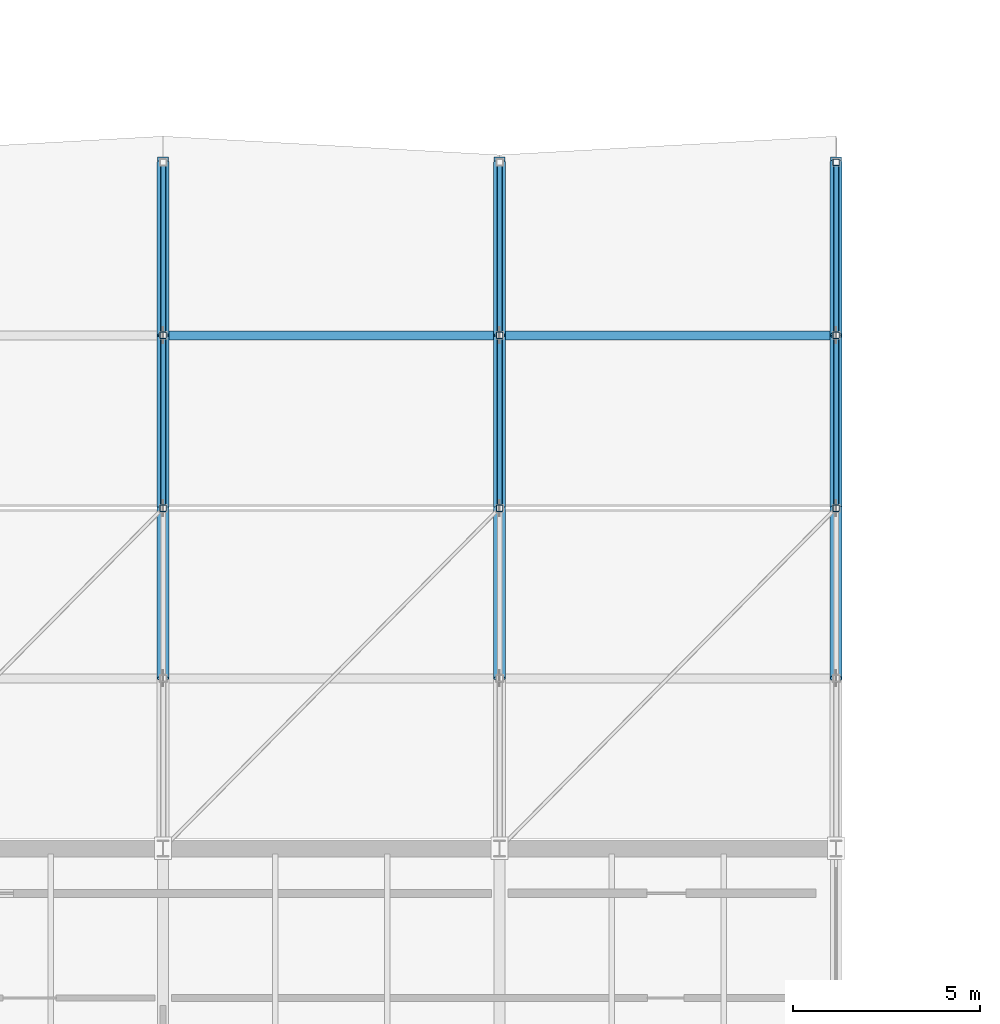
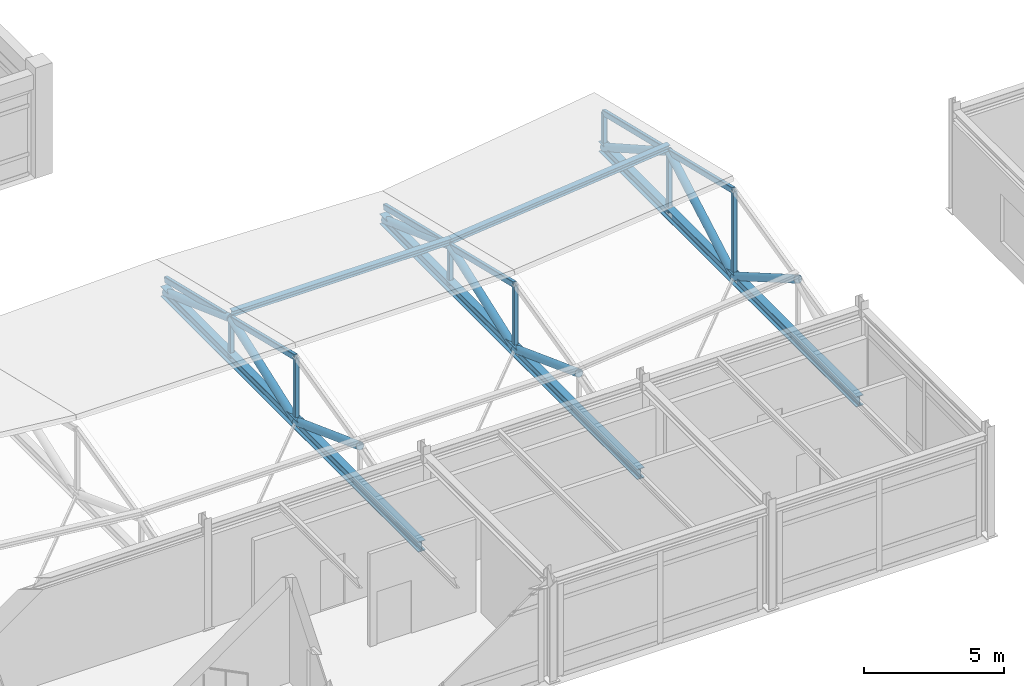
# One storey, part 26 of 90: 21 members, 3 beams.
"""IFC4 building model written with IfcOpenShell, lengths in metres."""

from ifc_helpers import new_model, si_unit, direction, frame, origin, origin_2d, place, context, subcontext, project, spatial, hollow_rectangle, hollow_circle, i_section, extrude, material, material_profile, profile_set, type_object, element, save


model = new_model("IFC4")

# Units and contexts
model_context = context("Model", 3, precision=1e-05, world=origin(), true_north=direction((0.0, 1.0)))
body_context = subcontext(model_context, "Body", "Model", "MODEL_VIEW")
ifc_project = project(units=[si_unit("LENGTHUNIT", "METRE"), si_unit("AREAUNIT", "SQUARE_METRE"), si_unit("VOLUMEUNIT", "CUBIC_METRE"), si_unit("PLANEANGLEUNIT", "RADIAN"), si_unit("MASSUNIT", "GRAM", prefix="KILO")], contexts=[model_context])

# Site, building, storey
site_placement = place(None, origin())
site = spatial("IfcSite", under=ifc_project, at=site_placement, CompositionType="ELEMENT")
building_placement = place(site_placement, origin())
building = spatial("IfcBuilding", under=site, at=building_placement, Name="Bozkorgan Art Gallery", CompositionType="ELEMENT")
storey_placement = place(building_placement, frame((0.0, 0.0, 5.39990234375)))
storey = spatial("IfcBuildingStorey", under=building, at=storey_placement, Name="L01", CompositionType="ELEMENT", Elevation=5.39990234375)

# Beams
ifc_material = material(Name="Steel S355J2", Category="steel")
ifc_material_profile_1 = material_profile(ifc_material, i_section(OverallWidth=0.300048828125, OverallDepth=0.449951171875, WebThickness=0.013916015625, FlangeThickness=0.02587890625, FilletRadius=0.027099609375, at=origin_2d()), Name="HEB 450")
ifc_profile_set_1 = profile_set([ifc_material_profile_1], Name="Steel S355J2")
beam_type = type_object("IfcBeamType", Name="BEAM-TB-37", PredefinedType="BEAM", material=ifc_profile_set_1)
for number, where, z_axis, x_axis, name in (
    (1, (101.0, 11.14990234375, 0.22509765625), (0.0, 1.0, 0.0), (-1.0, 0.0, 0.0), "ROOF-V3-BOWL roof truss 3 bottom chord"),
    (2, (110.0, 11.14990234375, 0.22509765625), (0.0, 1.0, 0.0), (-1.0, 0.0, 0.0), "ROOF-V3-BOWL roof truss 4 bottom chord"),
    (3, (119.0, 11.14990234375, 0.22509765625), (0.0, 1.0, 0.0), (-1.0, 0.0, 0.0), "ROOF-V3-BOWL roof truss 5 bottom chord"),
):
    element("IfcBeam", number, at=place(storey_placement, frame(where, z_axis=z_axis, x_axis=x_axis)), inside=storey, type_object=beam_type, Name=name, PredefinedType="BEAM", context=body_context, shape_type="SweptSolid", body=[
        extrude(i_section(OverallWidth=0.300048828125, OverallDepth=0.449951171875, WebThickness=0.013916015625, FlangeThickness=0.02587890625, FilletRadius=0.027099609375, at=origin_2d()), origin(), (0.0, 0.0, 1.0), 18.340087890625),
    ])

# Members
ifc_material_profile_2 = material_profile(ifc_material, i_section(OverallWidth=0.239990234375, OverallDepth=0.22998046875, WebThickness=0.007568359375, FlangeThickness=0.011962890625, FilletRadius=0.02099609375, at=origin_2d()), Name="HEA 240")
ifc_profile_set_2 = profile_set([ifc_material_profile_2], Name="Steel S355J2")
member_type_1 = type_object("IfcMemberType", Name="MEMBER-PR-93", PredefinedType="PURLIN", material=ifc_profile_set_2)
member_1_placement = place(storey_placement, frame((101.0, 24.72509765625, 2.135009765625), z_axis=(0.999999574673, 0.0, 0.000922308635), x_axis=(0.0, 1.0, 0.0)))
element("IfcMember", 4, at=member_1_placement, inside=storey, type_object=member_type_1, Name="ROOF-V3-BOWL roof purlin 3N", PredefinedType="PURLIN", context=body_context, shape_type="SweptSolid", body=[
    extrude(i_section(OverallWidth=0.239990234375, OverallDepth=0.22998046875, WebThickness=0.007568359375, FlangeThickness=0.011962890625, FilletRadius=0.02099609375, at=origin_2d()), origin(), (0.0, 0.0, 1.0), 9.0),
])
member_2_placement = place(storey_placement, frame((110.0, 24.72509765625, 2.143310546875), z_axis=(0.994598929439, 0.0, 0.103792916709), x_axis=(0.0, 1.0, 0.0)))
element("IfcMember", 5, at=member_2_placement, inside=storey, type_object=member_type_1, Name="ROOF-V3-BOWL roof purlin 4N", PredefinedType="PURLIN", context=body_context, shape_type="SweptSolid", body=[
    extrude(i_section(OverallWidth=0.239990234375, OverallDepth=0.22998046875, WebThickness=0.007568359375, FlangeThickness=0.011962890625, FilletRadius=0.02099609375, at=origin_2d()), origin(), (0.0, 0.0, 1.0), 9.048828125),
])
ifc_material_profile_3 = material_profile(ifc_material, hollow_rectangle(XDim=0.14990234375, YDim=0.25, WallThickness=0.010009765625, InnerFilletRadius=0.014892578125, OuterFilletRadius=0.02490234375, at=origin_2d()), Name="RHS 250x150x10")
ifc_profile_set_3 = profile_set([ifc_material_profile_3], Name="Steel S355J2")
member_type_2 = type_object("IfcMemberType", Name="MEMBER-TC-35", PredefinedType="CHORD", material=ifc_profile_set_3)
for number, where, z_axis, x_axis, name in (
    (6, (101.0, 20.10009765625, 3.005615234375), (0.0, 0.972370526405, -0.233442839637), (-1.0, 0.0, 0.0), "ROOF-V3-BOWL roof truss 3 north top chord"),
    (7, (110.0, 20.10009765625, 3.013671875), (0.0, 0.972370526405, -0.233442839637), (-1.0, 0.0, 0.0), "ROOF-V3-BOWL roof truss 4 north top chord"),
    (8, (119.0, 20.10009765625, 3.952880859375), (0.0, 0.972370526405, -0.233442839637), (-1.0, 0.0, 0.0), "ROOF-V3-BOWL roof truss 5 north top chord"),
):
    element("IfcMember", number, at=place(storey_placement, frame(where, z_axis=z_axis, x_axis=x_axis)), inside=storey, type_object=member_type_2, Name=name, PredefinedType="CHORD", context=body_context, shape_type="SweptSolid", body=[
        extrude(hollow_rectangle(XDim=0.14990234375, YDim=0.25, WallThickness=0.010009765625, InnerFilletRadius=0.014892578125, OuterFilletRadius=0.02490234375, at=origin_2d()), origin(), (0.0, 0.0, 1.0), 9.512939453125),
    ])
ifc_material_profile_4 = material_profile(ifc_material, hollow_rectangle(XDim=0.179931640625, YDim=0.179931640625, WallThickness=0.010009765625, InnerFilletRadius=0.014892578125, OuterFilletRadius=0.02490234375, at=origin_2d()), Name="SHS 180x180x10")
ifc_profile_set_4 = profile_set([ifc_material_profile_4], Name="Steel S355J2")
member_type_3 = type_object("IfcMemberType", Name="MEMBER-TP-98", PredefinedType="POST", material=ifc_profile_set_4)
member_3_placement = place(storey_placement, frame((101.0, 20.10009765625, 0.22509765625), z_axis=(0.0, 0.0, 1.0), x_axis=(1.0, 0.0, 0.0)))
element("IfcMember", 9, at=member_3_placement, inside=storey, type_object=member_type_3, Name="ROOF-V3-BOWL roof truss 3 post 2", PredefinedType="POST", context=body_context, shape_type="SweptSolid", body=[
    extrude(hollow_rectangle(XDim=0.179931640625, YDim=0.179931640625, WallThickness=0.010009765625, InnerFilletRadius=0.014892578125, OuterFilletRadius=0.02490234375, at=origin_2d()), origin(), (0.0, 0.0, 1.0), 2.780517578125),
])
member_4_placement = place(storey_placement, frame((101.0, 24.72509765625, 0.22509765625), z_axis=(0.0, 0.0, 1.0), x_axis=(1.0, 0.0, 0.0)))
element("IfcMember", 10, at=member_4_placement, inside=storey, type_object=member_type_3, Name="ROOF-V3-BOWL roof truss 3 post 3", PredefinedType="POST", context=body_context, shape_type="SweptSolid", body=[
    extrude(hollow_rectangle(XDim=0.179931640625, YDim=0.179931640625, WallThickness=0.010009765625, InnerFilletRadius=0.014892578125, OuterFilletRadius=0.02490234375, at=origin_2d()), origin(), (0.0, 0.0, 1.0), 1.669921875),
])
member_5_placement = place(storey_placement, frame((110.0, 20.10009765625, 0.22509765625), z_axis=(0.0, 0.0, 1.0), x_axis=(1.0, 0.0, 0.0)))
element("IfcMember", 11, at=member_5_placement, inside=storey, type_object=member_type_3, Name="ROOF-V3-BOWL roof truss 4 post 2", PredefinedType="POST", context=body_context, shape_type="SweptSolid", body=[
    extrude(hollow_rectangle(XDim=0.179931640625, YDim=0.179931640625, WallThickness=0.010009765625, InnerFilletRadius=0.014892578125, OuterFilletRadius=0.02490234375, at=origin_2d()), origin(), (0.0, 0.0, 1.0), 2.78857421875),
])
member_6_placement = place(storey_placement, frame((110.0, 24.72509765625, 0.22509765625), z_axis=(0.0, 0.0, 1.0), x_axis=(1.0, 0.0, 0.0)))
element("IfcMember", 12, at=member_6_placement, inside=storey, type_object=member_type_3, Name="ROOF-V3-BOWL roof truss 4 post 3", PredefinedType="POST", context=body_context, shape_type="SweptSolid", body=[
    extrude(hollow_rectangle(XDim=0.179931640625, YDim=0.179931640625, WallThickness=0.010009765625, InnerFilletRadius=0.014892578125, OuterFilletRadius=0.02490234375, at=origin_2d()), origin(), (0.0, 0.0, 1.0), 1.67822265625),
])
member_7_placement = place(storey_placement, frame((119.0, 20.10009765625, 0.22509765625), z_axis=(0.0, 0.0, 1.0), x_axis=(1.0, 0.0, 0.0)))
element("IfcMember", 13, at=member_7_placement, inside=storey, type_object=member_type_3, Name="ROOF-V3-BOWL roof truss 5 post 2", PredefinedType="POST", context=body_context, shape_type="SweptSolid", body=[
    extrude(hollow_rectangle(XDim=0.179931640625, YDim=0.179931640625, WallThickness=0.010009765625, InnerFilletRadius=0.014892578125, OuterFilletRadius=0.02490234375, at=origin_2d()), origin(), (0.0, 0.0, 1.0), 3.727783203125),
])
member_8_placement = place(storey_placement, frame((119.0, 24.72509765625, 0.22509765625), z_axis=(0.0, 0.0, 1.0), x_axis=(1.0, 0.0, 0.0)))
element("IfcMember", 14, at=member_8_placement, inside=storey, type_object=member_type_3, Name="ROOF-V3-BOWL roof truss 5 post 3", PredefinedType="POST", context=body_context, shape_type="SweptSolid", body=[
    extrude(hollow_rectangle(XDim=0.179931640625, YDim=0.179931640625, WallThickness=0.010009765625, InnerFilletRadius=0.014892578125, OuterFilletRadius=0.02490234375, at=origin_2d()), origin(), (0.0, 0.0, 1.0), 2.617431640625),
])
member_9_placement = place(storey_placement, frame((119.0, 29.35009765625, 0.22509765625), z_axis=(0.0, 0.0, 1.0), x_axis=(1.0, 0.0, 0.0)))
element("IfcMember", 15, at=member_9_placement, inside=storey, type_object=member_type_3, Name="ROOF-V3-BOWL roof truss 5 post 4", PredefinedType="POST", context=body_context, shape_type="SweptSolid", body=[
    extrude(hollow_rectangle(XDim=0.179931640625, YDim=0.179931640625, WallThickness=0.010009765625, InnerFilletRadius=0.014892578125, OuterFilletRadius=0.02490234375, at=origin_2d()), origin(), (0.0, 0.0, 1.0), 1.507080078125),
])
ifc_material_profile_5 = material_profile(ifc_material, hollow_circle(Radius=0.161865234375, WallThickness=0.012451171875, at=origin_2d()), Name="CHS 323.9x12.5")
ifc_profile_set_5 = profile_set([ifc_material_profile_5], Name="Steel S355J2")
member_type_4 = type_object("IfcMemberType", Name="MEMBER-TW-97", PredefinedType="BRACE", material=ifc_profile_set_5)
member_10_placement = place(storey_placement, frame((101.0, 15.550048828125, 1.9130859375), z_axis=(0.0, 0.937561720314, -0.34781894802), x_axis=(-1.0, 0.0, 0.0)))
element("IfcMember", 16, at=member_10_placement, inside=storey, type_object=member_type_4, Name="ROOF-V3-BOWL roof truss 3 diagonal 2", PredefinedType="BRACE", context=body_context, shape_type="SweptSolid", body=[
    extrude(hollow_circle(Radius=0.161865234375, WallThickness=0.012451171875, at=origin_2d()), origin(), (0.0, 0.0, 1.0), 4.85302734375),
])
for number, where, z_axis, x_axis, name in (
    (17, (101.0, 20.10009765625, 0.22509765625), (0.0, 0.940567997424, 0.339605421367), (-1.0, 0.0, 0.0), "ROOF-V3-BOWL roof truss 3 diagonal 3"),
    (18, (101.0, 24.72509765625, 1.89501953125), (0.0, 0.940567997424, -0.339605421367), (-1.0, 0.0, 0.0), "ROOF-V3-BOWL roof truss 3 diagonal 4"),
):
    element("IfcMember", number, at=place(storey_placement, frame(where, z_axis=z_axis, x_axis=x_axis)), inside=storey, type_object=member_type_4, Name=name, PredefinedType="BRACE", context=body_context, shape_type="SweptSolid", body=[
        extrude(hollow_circle(Radius=0.161865234375, WallThickness=0.012451171875, at=origin_2d()), origin(), (0.0, 0.0, 1.0), 4.917236328125),
    ])
member_11_placement = place(storey_placement, frame((110.0, 15.550048828125, 1.92138671875), z_axis=(0.0, 0.937003077633, -0.349321102291), x_axis=(-1.0, 0.0, 0.0)))
element("IfcMember", 19, at=member_11_placement, inside=storey, type_object=member_type_4, Name="ROOF-V3-BOWL roof truss 4 diagonal 2", PredefinedType="BRACE", context=body_context, shape_type="SweptSolid", body=[
    extrude(hollow_circle(Radius=0.161865234375, WallThickness=0.012451171875, at=origin_2d()), origin(), (0.0, 0.0, 1.0), 4.85595703125),
])
for number, where, z_axis, x_axis, name in (
    (20, (110.0, 20.10009765625, 0.22509765625), (0.0, 0.940027907474, 0.341097542017), (-1.0, 0.0, 0.0), "ROOF-V3-BOWL roof truss 4 diagonal 3"),
    (21, (110.0, 24.72509765625, 1.9033203125), (0.0, 0.940027907474, -0.341097542017), (-1.0, 0.0, 0.0), "ROOF-V3-BOWL roof truss 4 diagonal 4"),
):
    element("IfcMember", number, at=place(storey_placement, frame(where, z_axis=z_axis, x_axis=x_axis)), inside=storey, type_object=member_type_4, Name=name, PredefinedType="BRACE", context=body_context, shape_type="SweptSolid", body=[
        extrude(hollow_circle(Radius=0.161865234375, WallThickness=0.012451171875, at=origin_2d()), origin(), (0.0, 0.0, 1.0), 4.920166015625),
    ])
member_12_placement = place(storey_placement, frame((119.0, 15.550048828125, 2.860595703125), z_axis=(0.0, 0.865322424743, -0.501215623496), x_axis=(-1.0, 0.0, 0.0)))
element("IfcMember", 22, at=member_12_placement, inside=storey, type_object=member_type_4, Name="ROOF-V3-BOWL roof truss 5 diagonal 2", PredefinedType="BRACE", context=body_context, shape_type="SweptSolid", body=[
    extrude(hollow_circle(Radius=0.161865234375, WallThickness=0.012451171875, at=origin_2d()), origin(), (0.0, 0.0, 1.0), 5.25830078125),
])
for number, where, z_axis, x_axis, name in (
    (23, (119.0, 20.10009765625, 0.22509765625), (0.0, 0.870296612002, 0.492527975996), (-1.0, 0.0, 0.0), "ROOF-V3-BOWL roof truss 5 diagonal 3"),
    (24, (119.0, 24.72509765625, 2.842529296875), (0.0, 0.870296612002, -0.492527975996), (-1.0, 0.0, 0.0), "ROOF-V3-BOWL roof truss 5 diagonal 4"),
):
    element("IfcMember", number, at=place(storey_placement, frame(where, z_axis=z_axis, x_axis=x_axis)), inside=storey, type_object=member_type_4, Name=name, PredefinedType="BRACE", context=body_context, shape_type="SweptSolid", body=[
        extrude(hollow_circle(Radius=0.161865234375, WallThickness=0.012451171875, at=origin_2d()), origin(), (0.0, 0.0, 1.0), 5.314208984375),
    ])

save(model, "model.ifc")
